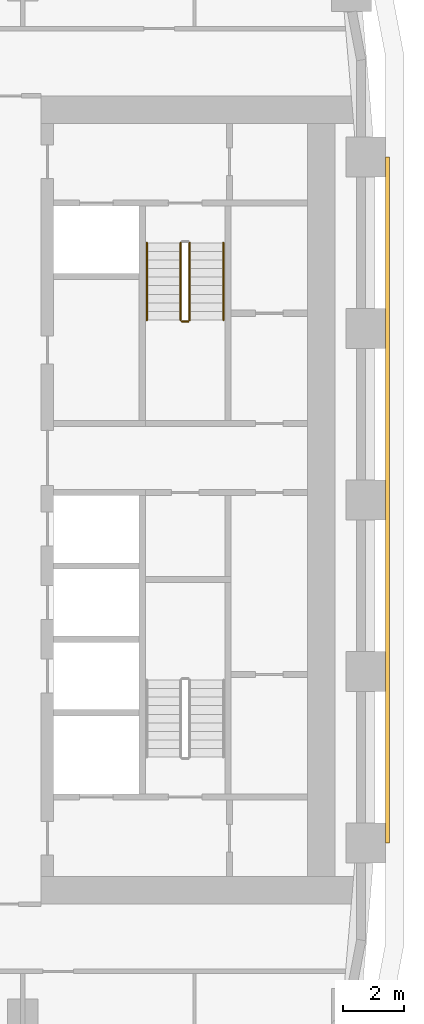
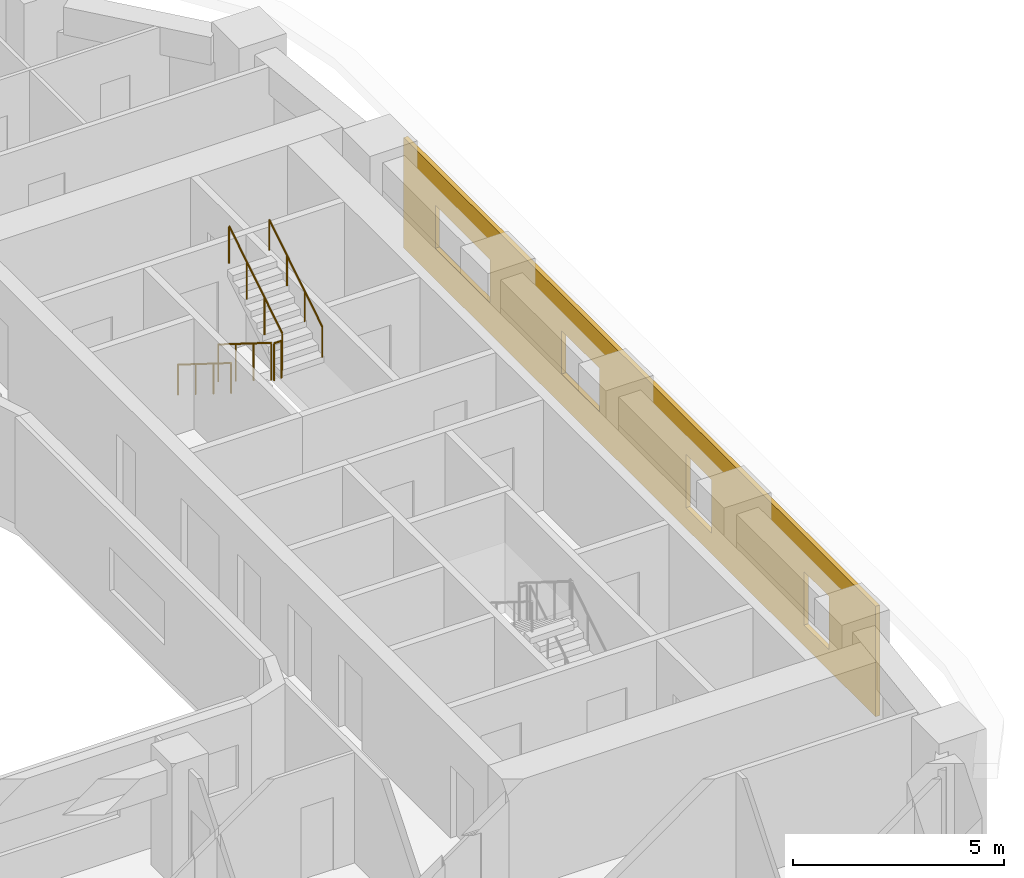
# One storey, part 18 of 21: 5 railings, 1 covering.
"""IFC4 building model written with IfcOpenShell, lengths in metres."""

from ifc_helpers import new_model, si_unit, direction, frame, origin, origin_2d, place, context, subcontext, project, spatial, polyline, circle, outline, extrude, material, layer, layer_set, type_object, element, save


model = new_model("IFC4")

# Units and contexts
model_context = context("Model", 3, precision=1e-05, world=origin(), true_north=direction((0.0, 1.0)))
body_context = subcontext(model_context, "Body", "Model", "MODEL_VIEW")
ifc_project = project(units=[si_unit("LENGTHUNIT", "METRE"), si_unit("AREAUNIT", "SQUARE_METRE"), si_unit("VOLUMEUNIT", "CUBIC_METRE"), si_unit("PLANEANGLEUNIT", "RADIAN"), si_unit("MASSUNIT", "GRAM", prefix="KILO")], contexts=[model_context])

# Site, building, storey
site_placement = place(None, origin())
site = spatial("IfcSite", under=ifc_project, at=site_placement, CompositionType="ELEMENT")
building_placement = place(site_placement, origin())
building = spatial("IfcBuilding", under=site, at=building_placement, Name="Kiln Ring Residences", CompositionType="ELEMENT")
storey_placement = place(building_placement, frame((0.0, 0.0, 100.800048828125)))
storey = spatial("IfcBuildingStorey", under=building, at=storey_placement, Name="L25", CompositionType="ELEMENT", Elevation=100.800048828125)

# Railings
ifc_material_1 = material(Name="Stainless steel", Category="steel")
railing_type_1 = type_object("IfcRailingType", Name="CORE-STAIR-GUARD", PredefinedType="GUARDRAIL", material=ifc_material_1)
railing_1_placement = place(storey_placement, frame((21.949951171875, 8.39990234375, 0.175048828125)))
element("IfcRailing", 1, at=railing_1_placement, inside=storey, type_object=railing_type_1, Name="L25 E-STN stair guard 1", PredefinedType="GUARDRAIL", context=body_context, shape_type="SweptSolid", body=[
    extrude(circle(Radius=0.02392578125, at=origin_2d()), frame((0.0, 0.0, 1.076171875), z_axis=(0.0, -0.848007534815, 0.529984170421), x_axis=(1.0, 0.0, 0.0)), (0.0, 0.0, 1.0), 2.9716796875),
    extrude(circle(Radius=0.02099609375, at=origin_2d()), origin(), (0.0, 0.0, 1.0), 1.052001953125),
    extrude(circle(Radius=0.02099609375, at=origin_2d()), frame((0.0, -0.840087890625, 0.52490234375)), (0.0, 0.0, 1.0), 1.052001953125),
    extrude(circle(Radius=0.02099609375, at=origin_2d()), frame((0.0, -1.679931640625, 1.050048828125)), (0.0, 0.0, 1.0), 1.052001953125),
    extrude(circle(Radius=0.02099609375, at=origin_2d()), frame((0.0, -2.52001953125, 1.574951171875)), (0.0, 0.0, 1.0), 1.052001953125),
])
railing_2_placement = place(storey_placement, frame((22.0, 5.830078125, 1.75)))
element("IfcRailing", 2, at=railing_2_placement, inside=storey, type_object=railing_type_1, Name="L25 E-STN stair guard 2", PredefinedType="GUARDRAIL", context=body_context, shape_type="SweptSolid", body=[
    extrude(circle(Radius=0.02392578125, at=origin_2d()), frame((0.0, 0.0, 1.076171875), z_axis=(1.0, 0.0, 0.0), x_axis=(0.0, 1.0, 0.0)), (0.0, 0.0, 1.0), 0.199951171875),
    extrude(circle(Radius=0.02099609375, at=origin_2d()), origin(), (0.0, 0.0, 1.0), 1.052001953125),
    extrude(circle(Radius=0.02099609375, at=origin_2d()), frame((0.199951171875, 0.0, 0.0)), (0.0, 0.0, 1.0), 1.052001953125),
])
railing_3_placement = place(storey_placement, frame((22.25, 5.8798828125, 1.925048828125)))
element("IfcRailing", 3, at=railing_3_placement, inside=storey, type_object=railing_type_1, Name="L25 E-STN stair guard 3", PredefinedType="GUARDRAIL", context=body_context, shape_type="SweptSolid", body=[
    extrude(circle(Radius=0.02392578125, at=origin_2d()), frame((0.0, 0.0, 1.076171875), z_axis=(0.0, 0.848007534815, 0.529984170421), x_axis=(-1.0, 0.0, 0.0)), (0.0, 0.0, 1.0), 2.9716796875),
    extrude(circle(Radius=0.02099609375, at=origin_2d()), origin(), (0.0, 0.0, 1.0), 1.052001953125),
    extrude(circle(Radius=0.02099609375, at=origin_2d()), frame((0.0, 0.840087890625, 0.52490234375)), (0.0, 0.0, 1.0), 1.052001953125),
    extrude(circle(Radius=0.02099609375, at=origin_2d()), frame((0.0, 1.679931640625, 1.050048828125)), (0.0, 0.0, 1.0), 1.052001953125),
    extrude(circle(Radius=0.02099609375, at=origin_2d()), frame((0.0, 2.52001953125, 1.574951171875)), (0.0, 0.0, 1.0), 1.052001953125),
])
ifc_material_2 = material(Name="Stainless steel", Category="steel")
railing_type_2 = type_object("IfcRailingType", Name="CORE-STAIR-HANDRAIL", PredefinedType="HANDRAIL", material=ifc_material_2)
railing_4_placement = place(storey_placement, frame((20.85009765625, 8.39990234375, 0.175048828125)))
element("IfcRailing", 4, at=railing_4_placement, inside=storey, type_object=railing_type_2, Name="L25 E-STN stair handrail 1", PredefinedType="HANDRAIL", context=body_context, shape_type="SweptSolid", body=[
    extrude(circle(Radius=0.02392578125, at=origin_2d()), frame((0.0, 0.0, 0.8759765625), z_axis=(0.0, -0.848007534815, 0.529984170421), x_axis=(1.0, 0.0, 0.0)), (0.0, 0.0, 1.0), 2.9716796875),
    extrude(circle(Radius=0.02099609375, at=origin_2d()), origin(), (0.0, 0.0, 1.0), 0.851806640625),
    extrude(circle(Radius=0.02099609375, at=origin_2d()), frame((0.0, -0.840087890625, 0.52490234375)), (0.0, 0.0, 1.0), 0.851806640625),
    extrude(circle(Radius=0.02099609375, at=origin_2d()), frame((0.0, -1.679931640625, 1.050048828125)), (0.0, 0.0, 1.0), 0.851806640625),
    extrude(circle(Radius=0.02099609375, at=origin_2d()), frame((0.0, -2.52001953125, 1.574951171875)), (0.0, 0.0, 1.0), 0.851806640625),
])
railing_5_placement = place(storey_placement, frame((23.35009765625, 5.8798828125, 1.925048828125)))
element("IfcRailing", 5, at=railing_5_placement, inside=storey, type_object=railing_type_2, Name="L25 E-STN stair handrail 2", PredefinedType="HANDRAIL", context=body_context, shape_type="SweptSolid", body=[
    extrude(circle(Radius=0.02392578125, at=origin_2d()), frame((0.0, 0.0, 0.8759765625), z_axis=(0.0, 0.848007534815, 0.529984170421), x_axis=(-1.0, 0.0, 0.0)), (0.0, 0.0, 1.0), 2.9716796875),
    extrude(circle(Radius=0.02099609375, at=origin_2d()), origin(), (0.0, 0.0, 1.0), 0.851806640625),
    extrude(circle(Radius=0.02099609375, at=origin_2d()), frame((0.0, 0.840087890625, 0.52490234375)), (0.0, 0.0, 1.0), 0.851806640625),
    extrude(circle(Radius=0.02099609375, at=origin_2d()), frame((0.0, 1.679931640625, 1.050048828125)), (0.0, 0.0, 1.0), 0.851806640625),
    extrude(circle(Radius=0.02099609375, at=origin_2d()), frame((0.0, 2.52001953125, 1.574951171875)), (0.0, 0.0, 1.0), 0.851806640625),
])

# Covering
ifc_material_3 = material(Name="Brick masonry, dark clay brick", Category="masonry")
ifc_layer = layer(ifc_material_3, 0.1201171875)
ifc_layer_set = layer_set([ifc_layer], Name="RAINSCREEN PANEL 120")
covering_type = type_object("IfcCoveringType", Name="RAINSCREEN PANEL 120", PredefinedType="CLADDING", material=ifc_layer_set)
covering_placement = place(storey_placement, frame((28.7099609375, -11.199951171875, 0.0), z_axis=(0.0, 0.0, 1.0), x_axis=(0.0, 1.0, 0.0)))
element("IfcCovering", 6, at=covering_placement, inside=storey, type_object=covering_type, Name="RAINSCREEN L25", PredefinedType="CLADDING", context=body_context, shape_type="SweptSolid", body=[
    extrude(outline(polyline([(0.0, 0.0), (22.39990234375, 0.0), (22.39990234375, 3.199951171875), (0.0, 3.199951171875), (0.0, 0.0)]), holes=[polyline([(3.39990234375, 0.599853515625), (3.39990234375, 2.14990234375), (2.199951171875, 2.14990234375), (2.199951171875, 0.599853515625), (3.39990234375, 0.599853515625)]), polyline([(9.0, 0.599853515625), (9.0, 2.14990234375), (7.800048828125, 2.14990234375), (7.800048828125, 0.599853515625), (9.0, 0.599853515625)]), polyline([(14.89990234375, 0.89990234375), (14.89990234375, 2.14990234375), (13.10009765625, 2.14990234375), (13.10009765625, 0.89990234375), (14.89990234375, 0.89990234375)]), polyline([(20.89990234375, 0.89990234375), (20.89990234375, 2.14990234375), (18.300048828125, 2.14990234375), (18.300048828125, 0.89990234375), (20.89990234375, 0.89990234375)])]), frame((0.0, 0.06005859375, 0.0), z_axis=(0.0, -1.0, 0.0), x_axis=(1.0, 0.0, 0.0)), (0.0, 0.0, 1.0), 0.1201171875),
])

save(model, "model.ifc")
